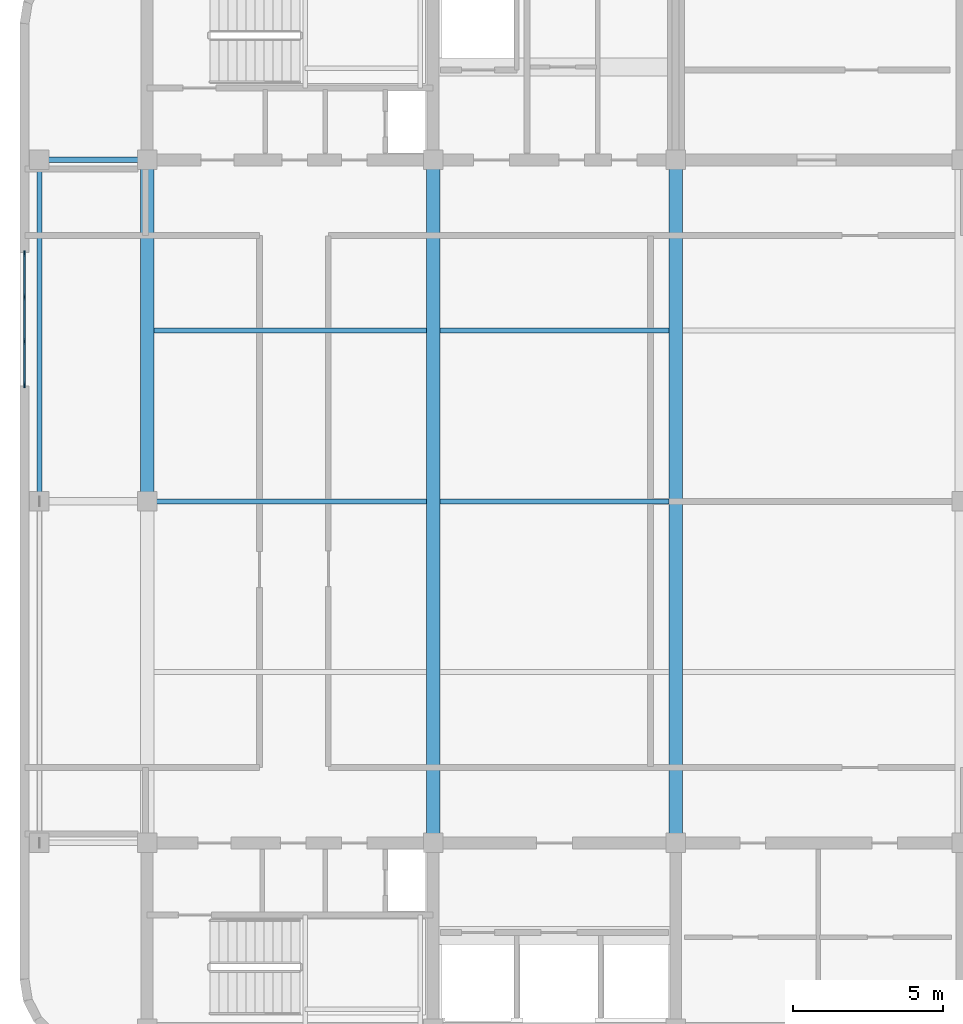
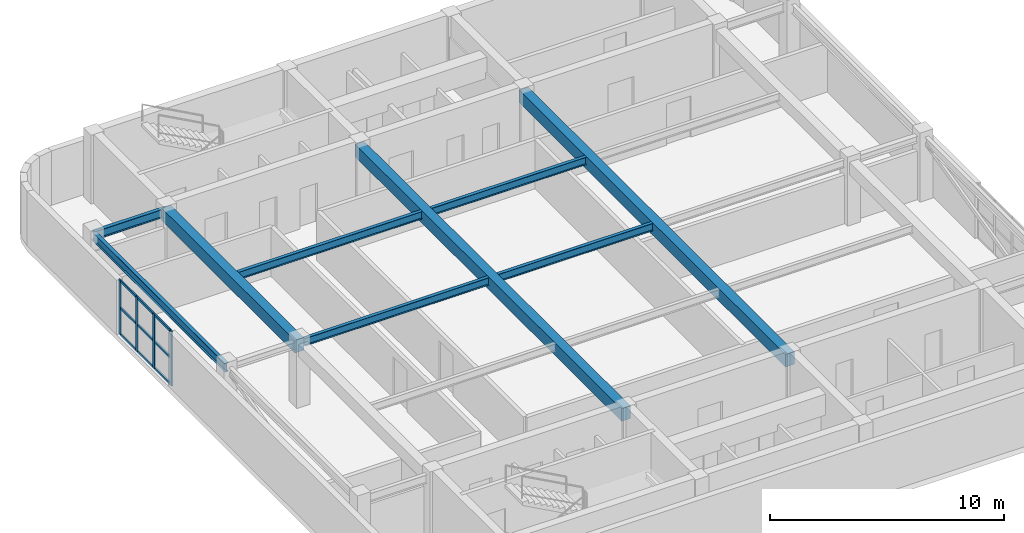
# One storey, part 2 of 9: 13 members, 9 beams, 1 element without a shape of its own.
"""IFC4 building model written with IfcOpenShell, lengths in metres."""

from ifc_helpers import new_model, si_unit, direction, frame, origin, origin_2d, place, context, subcontext, project, spatial, rectangle, i_section, extrude, material, material_profile, profile_set, type_object, element, aggregate, save


model = new_model("IFC4")

# Units and contexts
model_context = context("Model", 3, precision=1e-05, world=origin(), true_north=direction((0.0, 1.0)))
body_context = subcontext(model_context, "Body", "Model", "MODEL_VIEW")
ifc_project = project(units=[si_unit("LENGTHUNIT", "METRE"), si_unit("AREAUNIT", "SQUARE_METRE"), si_unit("VOLUMEUNIT", "CUBIC_METRE"), si_unit("PLANEANGLEUNIT", "RADIAN"), si_unit("MASSUNIT", "GRAM", prefix="KILO")], contexts=[model_context])

# Site, building, storey
site_placement = place(None, origin())
site = spatial("IfcSite", under=ifc_project, at=site_placement, CompositionType="ELEMENT")
building_placement = place(site_placement, origin())
building = spatial("IfcBuilding", under=site, at=building_placement, Name="Svetorya Sky Lyceum", CompositionType="ELEMENT")
storey_placement = place(building_placement, frame((0.0, 0.0, 309.199951171875)))
storey = spatial("IfcBuildingStorey", under=building, at=storey_placement, Name="C03", CompositionType="ELEMENT", Elevation=309.199951171875)

# Beams
ifc_material_1 = material(Name="Concrete C40/50", Category="concrete")
ifc_material_profile_1 = material_profile(ifc_material_1, rectangle(XDim=0.449951171875, YDim=0.64990234375, at=origin_2d()), Name="RC BEAM 450x650")
ifc_profile_set_1 = profile_set([ifc_material_profile_1], Name="Concrete C40/50")
beam_type_1 = type_object("IfcBeamType", Name="BM-RC-650", PredefinedType="BEAM", material=ifc_profile_set_1)
beam_1_placement = place(storey_placement, frame((25.60009765625, 28.199951171875, 2.9951171875), z_axis=(0.0, 1.0, 0.0), x_axis=(-1.0, 0.0, 0.0)))
element("IfcBeam", 1, at=beam_1_placement, inside=storey, type_object=beam_type_1, Name="C03 Central Bay Primary Girder CG-1B", PredefinedType="BEAM", context=body_context, shape_type="SweptSolid", body=[
    extrude(rectangle(XDim=0.449951171875, YDim=0.64990234375, at=origin_2d()), origin(), (0.0, 0.0, 1.0), 11.400146484375),
])
for number, where, z_axis, x_axis, name in (
    (2, (35.14990234375, 16.800048828125, 2.9951171875), (0.0, 1.0, 0.0), (-1.0, 0.0, 0.0), "C03 Central Bay Primary Girder CG-2"),
    (3, (43.25, 16.800048828125, 2.9951171875), (0.0, 1.0, 0.0), (-1.0, 0.0, 0.0), "C03 Central Bay Primary Girder CG-3"),
):
    element("IfcBeam", number, at=place(storey_placement, frame(where, z_axis=z_axis, x_axis=x_axis)), inside=storey, type_object=beam_type_1, Name=name, PredefinedType="BEAM", context=body_context, shape_type="SweptSolid", body=[
        extrude(rectangle(XDim=0.449951171875, YDim=0.64990234375, at=origin_2d()), origin(), (0.0, 0.0, 1.0), 22.800048828125),
    ])
ifc_material_2 = material(Name="Steel S355", Category="steel")
ifc_material_profile_2 = material_profile(ifc_material_2, i_section(OverallWidth=0.1650390625, OverallDepth=0.39990234375, WebThickness=0.008056640625, FlangeThickness=0.012939453125, at=origin_2d()), Name="GOST 40B2")
ifc_profile_set_2 = profile_set([ifc_material_profile_2], Name="Steel S355")
beam_type_2 = type_object("IfcBeamType", Name="BM-STL-40B2", PredefinedType="JOIST", material=ifc_profile_set_2)
beam_2_placement = place(storey_placement, frame((25.824951171875, 28.199951171875, 3.1201171875), z_axis=(1.0, 0.0, 0.0), x_axis=(0.0, 1.0, 0.0)))
element("IfcBeam", 4, at=beam_2_placement, inside=storey, type_object=beam_type_2, Name="C03 Central Floor Joist CJ-2.1", PredefinedType="JOIST", context=body_context, shape_type="SweptSolid", body=[
    extrude(i_section(OverallWidth=0.1650390625, OverallDepth=0.39990234375, WebThickness=0.008056640625, FlangeThickness=0.012939453125, at=origin_2d()), origin(), (0.0, 0.0, 1.0), 9.10009765625),
])
beam_3_placement = place(storey_placement, frame((35.375, 28.199951171875, 3.1201171875), z_axis=(1.0, 0.0, 0.0), x_axis=(0.0, 1.0, 0.0)))
element("IfcBeam", 5, at=beam_3_placement, inside=storey, type_object=beam_type_2, Name="C03 Central Floor Joist CJ-2.2", PredefinedType="JOIST", context=body_context, shape_type="SweptSolid", body=[
    extrude(i_section(OverallWidth=0.1650390625, OverallDepth=0.39990234375, WebThickness=0.008056640625, FlangeThickness=0.012939453125, at=origin_2d()), origin(), (0.0, 0.0, 1.0), 7.64990234375),
])
beam_4_placement = place(storey_placement, frame((25.824951171875, 33.89990234375, 3.1201171875), z_axis=(1.0, 0.0, 0.0), x_axis=(0.0, 1.0, 0.0)))
element("IfcBeam", 6, at=beam_4_placement, inside=storey, type_object=beam_type_2, Name="C03 Central Floor Joist CJ-3.1", PredefinedType="JOIST", context=body_context, shape_type="SweptSolid", body=[
    extrude(i_section(OverallWidth=0.1650390625, OverallDepth=0.39990234375, WebThickness=0.008056640625, FlangeThickness=0.012939453125, at=origin_2d()), origin(), (0.0, 0.0, 1.0), 9.10009765625),
])
beam_5_placement = place(storey_placement, frame((35.375, 33.89990234375, 3.1201171875), z_axis=(1.0, 0.0, 0.0), x_axis=(0.0, 1.0, 0.0)))
element("IfcBeam", 7, at=beam_5_placement, inside=storey, type_object=beam_type_2, Name="C03 Central Floor Joist CJ-3.2", PredefinedType="JOIST", context=body_context, shape_type="SweptSolid", body=[
    extrude(i_section(OverallWidth=0.1650390625, OverallDepth=0.39990234375, WebThickness=0.008056640625, FlangeThickness=0.012939453125, at=origin_2d()), origin(), (0.0, 0.0, 1.0), 7.64990234375),
])
ifc_material_profile_3 = material_profile(ifc_material_2, i_section(OverallWidth=0.179931640625, OverallDepth=0.449951171875, WebThickness=0.009033203125, FlangeThickness=0.014404296875, at=origin_2d()), Name="GOST 45B2")
ifc_profile_set_3 = profile_set([ifc_material_profile_3], Name="Steel S355")
beam_type_3 = type_object("IfcBeamType", Name="BM-STL-45B2", PredefinedType="SPANDREL", material=ifc_profile_set_3)
beam_6_placement = place(storey_placement, frame((22.010009765625, 39.60009765625, 3.094970703125), z_axis=(1.0, 0.0, 0.0), x_axis=(0.0, 1.0, 0.0)))
element("IfcBeam", 8, at=beam_6_placement, inside=storey, type_object=beam_type_3, Name="C03 Tie Spandrel NW", PredefinedType="SPANDREL", context=body_context, shape_type="SweptSolid", body=[
    extrude(i_section(OverallWidth=0.179931640625, OverallDepth=0.449951171875, WebThickness=0.009033203125, FlangeThickness=0.014404296875, at=origin_2d()), origin(), (0.0, 0.0, 1.0), 3.590087890625),
])
beam_7_placement = place(storey_placement, frame((22.010009765625, 28.199951171875, 3.094970703125), z_axis=(0.0, 1.0, 0.0), x_axis=(-1.0, 0.0, 0.0)))
element("IfcBeam", 9, at=beam_7_placement, inside=storey, type_object=beam_type_3, Name="C03 West Spandrel 2", PredefinedType="SPANDREL", context=body_context, shape_type="SweptSolid", body=[
    extrude(i_section(OverallWidth=0.179931640625, OverallDepth=0.449951171875, WebThickness=0.009033203125, FlangeThickness=0.014404296875, at=origin_2d()), origin(), (0.0, 0.0, 1.0), 11.400146484375),
])

# Curtain wall, members
ifc_material_3 = material(Name="Thermally broken anodized aluminium and triple low-E glass", Category="aluminium")
curtain_wall_type = type_object("IfcCurtainWallType", Name="CW5-LVR-PLT", PredefinedType="NOTDEFINED", material=ifc_material_3)
curtain_wall_placement = place(storey_placement, origin())
curtain_wall = element("IfcCurtainWall", 10, at=curtain_wall_placement, inside=storey, type_object=curtain_wall_type, Name="C03 Acoustic Plant Louvre Curtain Wall 24", PredefinedType="NOTDEFINED")
ifc_material_4 = material(Name="Thermally broken anodized aluminium EN AW-6060", Category="aluminium")
ifc_material_profile_4 = material_profile(ifc_material_4, rectangle(XDim=0.06494140625, YDim=0.179931640625, at=origin_2d()), Name="ALU MULLION 65x180")
ifc_profile_set_4 = profile_set([ifc_material_profile_4], Name="Thermally broken anodized aluminium EN AW-6060")
member_type_1 = type_object("IfcMemberType", Name="CWM-MUL-180", PredefinedType="MULLION", material=ifc_profile_set_4)
member_1_placement = place(storey_placement, frame((21.510009765625, 36.467529296875, 0.0), z_axis=(0.0, 0.0, 1.0), x_axis=(1.0, 0.0, 0.0)))
member_1 = element("IfcMember", 11, at=member_1_placement, type_object=member_type_1, Name="CW-5 mullion 1", PredefinedType="MULLION", context=body_context, shape_type="SweptSolid", body=[
    extrude(rectangle(XDim=0.06494140625, YDim=0.179931640625, at=origin_2d()), origin(), (0.0, 0.0, 1.0), 2.840087890625),
])
member_2_placement = place(storey_placement, frame((21.510009765625, 35.0166015625, 0.0), z_axis=(0.0, 0.0, 1.0), x_axis=(1.0, 0.0, 0.0)))
member_2 = element("IfcMember", 12, at=member_2_placement, type_object=member_type_1, Name="CW-5 mullion 2", PredefinedType="MULLION", context=body_context, shape_type="SweptSolid", body=[
    extrude(rectangle(XDim=0.06494140625, YDim=0.179931640625, at=origin_2d()), origin(), (0.0, 0.0, 1.0), 2.840087890625),
])
member_3_placement = place(storey_placement, frame((21.510009765625, 33.533447265625, 0.0), z_axis=(0.0, 0.0, 1.0), x_axis=(1.0, 0.0, 0.0)))
member_3 = element("IfcMember", 13, at=member_3_placement, type_object=member_type_1, Name="CW-5 mullion 3", PredefinedType="MULLION", context=body_context, shape_type="SweptSolid", body=[
    extrude(rectangle(XDim=0.06494140625, YDim=0.179931640625, at=origin_2d()), origin(), (0.0, 0.0, 1.0), 2.840087890625),
])
member_4_placement = place(storey_placement, frame((21.510009765625, 32.08251953125, 0.0), z_axis=(0.0, 0.0, 1.0), x_axis=(1.0, 0.0, 0.0)))
member_4 = element("IfcMember", 14, at=member_4_placement, type_object=member_type_1, Name="CW-5 mullion 4", PredefinedType="MULLION", context=body_context, shape_type="SweptSolid", body=[
    extrude(rectangle(XDim=0.06494140625, YDim=0.179931640625, at=origin_2d()), origin(), (0.0, 0.0, 1.0), 2.840087890625),
])
ifc_material_profile_5 = material_profile(ifc_material_4, rectangle(XDim=0.06494140625, YDim=0.139892578125, at=origin_2d()), Name="ALU TRANSOM 65x140")
ifc_profile_set_5 = profile_set([ifc_material_profile_5], Name="Thermally broken anodized aluminium EN AW-6060")
member_type_2 = type_object("IfcMemberType", Name="CWM-TRN-140", PredefinedType="USERDEFINED", material=ifc_profile_set_5)
member_5_placement = place(storey_placement, frame((21.510009765625, 36.4365234375, 0.032470703125), z_axis=(0.0, -1.0, 0.0), x_axis=(1.0, 0.0, 0.0)))
member_5 = element("IfcMember", 15, at=member_5_placement, type_object=member_type_2, Name="CW-5 transom 1.1", ObjectType="TRANSOM", PredefinedType="USERDEFINED", context=body_context, shape_type="SweptSolid", body=[
    extrude(rectangle(XDim=0.06494140625, YDim=0.139892578125, at=origin_2d()), origin(), (0.0, 0.0, 1.0), 1.388916015625),
])
member_6_placement = place(storey_placement, frame((21.510009765625, 36.4365234375, 1.420166015625), z_axis=(0.0, -1.0, 0.0), x_axis=(1.0, 0.0, 0.0)))
member_6 = element("IfcMember", 16, at=member_6_placement, type_object=member_type_2, Name="CW-5 transom 1.2", ObjectType="TRANSOM", PredefinedType="USERDEFINED", context=body_context, shape_type="SweptSolid", body=[
    extrude(rectangle(XDim=0.06494140625, YDim=0.139892578125, at=origin_2d()), origin(), (0.0, 0.0, 1.0), 1.388916015625),
])
member_7_placement = place(storey_placement, frame((21.510009765625, 36.4365234375, 2.8076171875), z_axis=(0.0, -1.0, 0.0), x_axis=(1.0, 0.0, 0.0)))
member_7 = element("IfcMember", 17, at=member_7_placement, type_object=member_type_2, Name="CW-5 transom 1.3", ObjectType="TRANSOM", PredefinedType="USERDEFINED", context=body_context, shape_type="SweptSolid", body=[
    extrude(rectangle(XDim=0.06494140625, YDim=0.139892578125, at=origin_2d()), origin(), (0.0, 0.0, 1.0), 1.388916015625),
])
member_8_placement = place(storey_placement, frame((21.510009765625, 34.985595703125, 0.032470703125), z_axis=(0.0, -1.0, 0.0), x_axis=(1.0, 0.0, 0.0)))
member_8 = element("IfcMember", 18, at=member_8_placement, type_object=member_type_2, Name="CW-5 transom 2.1", ObjectType="TRANSOM", PredefinedType="USERDEFINED", context=body_context, shape_type="SweptSolid", body=[
    extrude(rectangle(XDim=0.06494140625, YDim=0.139892578125, at=origin_2d()), origin(), (0.0, 0.0, 1.0), 1.421142578125),
])
member_9_placement = place(storey_placement, frame((21.510009765625, 34.985595703125, 1.420166015625), z_axis=(0.0, -1.0, 0.0), x_axis=(1.0, 0.0, 0.0)))
member_9 = element("IfcMember", 19, at=member_9_placement, type_object=member_type_2, Name="CW-5 transom 2.2", ObjectType="TRANSOM", PredefinedType="USERDEFINED", context=body_context, shape_type="SweptSolid", body=[
    extrude(rectangle(XDim=0.06494140625, YDim=0.139892578125, at=origin_2d()), origin(), (0.0, 0.0, 1.0), 1.421142578125),
])
member_10_placement = place(storey_placement, frame((21.510009765625, 34.985595703125, 2.8076171875), z_axis=(0.0, -1.0, 0.0), x_axis=(1.0, 0.0, 0.0)))
member_10 = element("IfcMember", 20, at=member_10_placement, type_object=member_type_2, Name="CW-5 transom 2.3", ObjectType="TRANSOM", PredefinedType="USERDEFINED", context=body_context, shape_type="SweptSolid", body=[
    extrude(rectangle(XDim=0.06494140625, YDim=0.139892578125, at=origin_2d()), origin(), (0.0, 0.0, 1.0), 1.421142578125),
])
member_11_placement = place(storey_placement, frame((21.510009765625, 33.50244140625, 0.032470703125), z_axis=(0.0, -1.0, 0.0), x_axis=(1.0, 0.0, 0.0)))
member_11 = element("IfcMember", 21, at=member_11_placement, type_object=member_type_2, Name="CW-5 transom 3.1", ObjectType="TRANSOM", PredefinedType="USERDEFINED", context=body_context, shape_type="SweptSolid", body=[
    extrude(rectangle(XDim=0.06494140625, YDim=0.139892578125, at=origin_2d()), origin(), (0.0, 0.0, 1.0), 1.388916015625),
])
member_12_placement = place(storey_placement, frame((21.510009765625, 33.50244140625, 1.420166015625), z_axis=(0.0, -1.0, 0.0), x_axis=(1.0, 0.0, 0.0)))
member_12 = element("IfcMember", 22, at=member_12_placement, type_object=member_type_2, Name="CW-5 transom 3.2", ObjectType="TRANSOM", PredefinedType="USERDEFINED", context=body_context, shape_type="SweptSolid", body=[
    extrude(rectangle(XDim=0.06494140625, YDim=0.139892578125, at=origin_2d()), origin(), (0.0, 0.0, 1.0), 1.388916015625),
])
member_13_placement = place(storey_placement, frame((21.510009765625, 33.50244140625, 2.8076171875), z_axis=(0.0, -1.0, 0.0), x_axis=(1.0, 0.0, 0.0)))
member_13 = element("IfcMember", 23, at=member_13_placement, type_object=member_type_2, Name="CW-5 transom 3.3", ObjectType="TRANSOM", PredefinedType="USERDEFINED", context=body_context, shape_type="SweptSolid", body=[
    extrude(rectangle(XDim=0.06494140625, YDim=0.139892578125, at=origin_2d()), origin(), (0.0, 0.0, 1.0), 1.388916015625),
])
aggregate(curtain_wall, [member_1, member_2, member_3, member_4, member_5, member_6, member_7, member_8, member_9, member_10, member_11, member_12, member_13])

save(model, "model.ifc")
